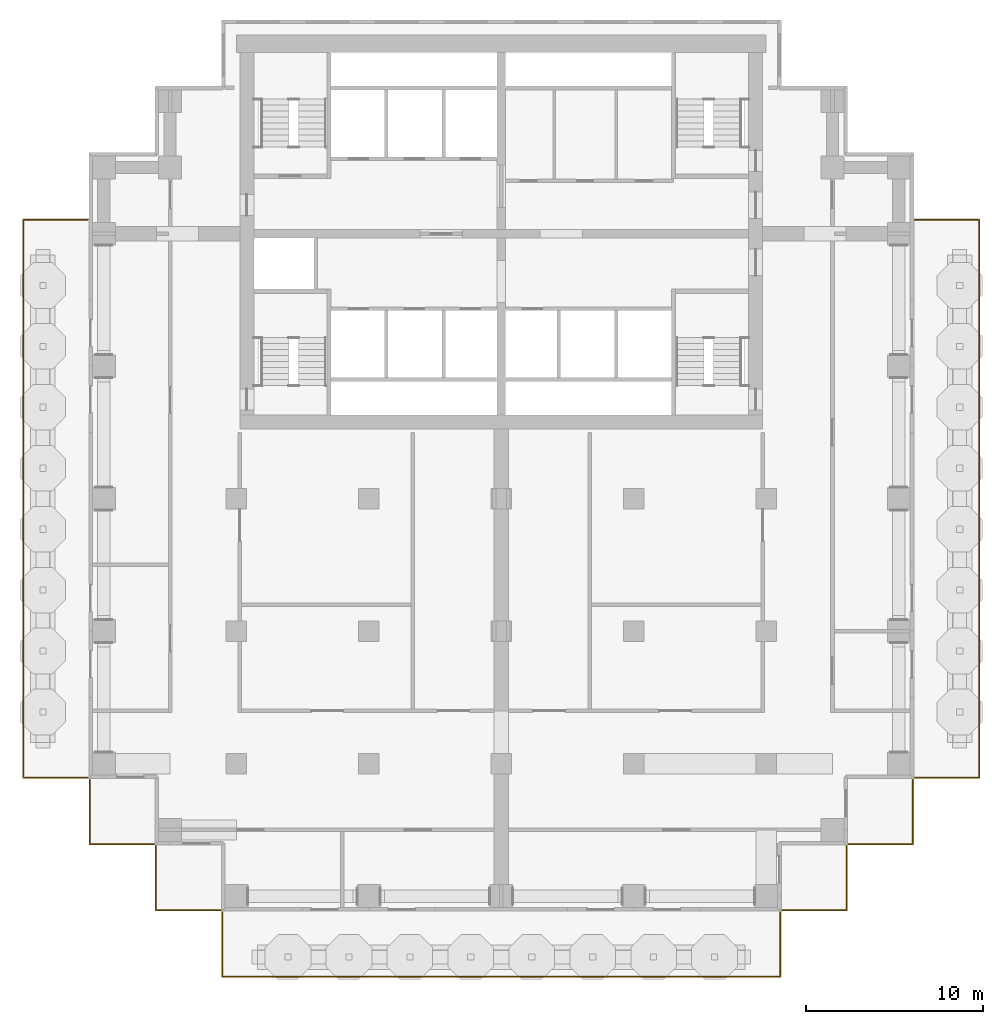
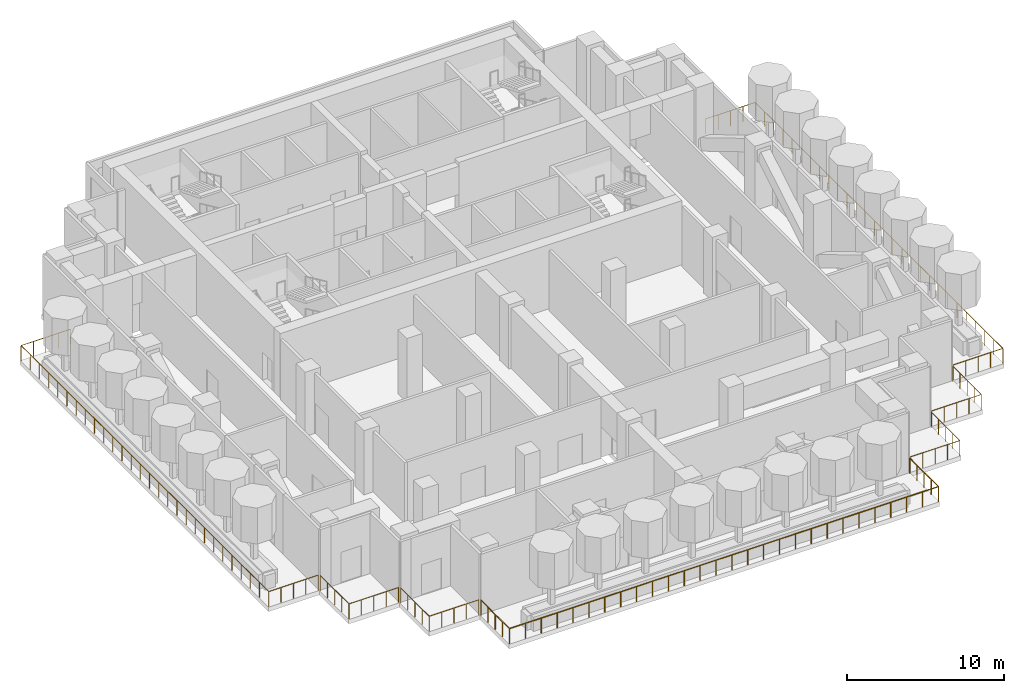
# One storey, part 7 of 9: 7 railings.
"""IFC4 building model written with IfcOpenShell, lengths in metres."""

from ifc_helpers import new_model, si_unit, direction, frame, origin, origin_2d, place, context, subcontext, project, spatial, circle, extrude, material, type_object, element, save


model = new_model("IFC4")

# Units and contexts
model_context = context("Model", 3, precision=1e-05, world=origin(), true_north=direction((0.0, 1.0)))
body_context = subcontext(model_context, "Body", "Model", "MODEL_VIEW")
ifc_project = project(units=[si_unit("LENGTHUNIT", "METRE"), si_unit("AREAUNIT", "SQUARE_METRE"), si_unit("VOLUMEUNIT", "CUBIC_METRE"), si_unit("PLANEANGLEUNIT", "RADIAN"), si_unit("MASSUNIT", "GRAM", prefix="KILO")], contexts=[model_context])

# Site, building, storey
site_placement = place(None, origin())
site = spatial("IfcSite", under=ifc_project, at=site_placement, CompositionType="ELEMENT")
building_placement = place(site_placement, origin())
building = spatial("IfcBuilding", under=site, at=building_placement, Name="Pilkhan Gate Tower", CompositionType="ELEMENT")
storey_placement = place(building_placement, frame((0.0, 0.0, 102.199951171875)))
storey = spatial("IfcBuildingStorey", under=building, at=storey_placement, Name="L25", CompositionType="ELEMENT", Elevation=102.199951171875)

# Railings
ifc_material = material(Name="Pale anodised aluminium posts, laminated glass infill", Category="aluminium")
railing_type = type_object("IfcRailingType", Name="Terrace guard G2", PredefinedType="BALUSTRADE", material=ifc_material)
railing_1_placement = place(storey_placement, frame((98.39990234375, 83.300048828125, 0.0)))
element("IfcRailing", 1, at=railing_1_placement, inside=storey, type_object=railing_type, Name="Terrace guard L25", PredefinedType="BALUSTRADE", context=body_context, shape_type="SweptSolid", body=[
    extrude(circle(Radius=0.02392578125, at=origin_2d()), frame((0.0, 0.0, 1.17578125), z_axis=(1.0, 0.0, 0.0), x_axis=(0.0, 1.0, 0.0)), (0.0, 0.0, 1.0), 3.650146484375),
    extrude(circle(Radius=0.02392578125, at=origin_2d()), frame((3.650146484375, 0.0, 1.17578125), z_axis=(0.0, -1.0, 0.0), x_axis=(1.0, 0.0, 0.0)), (0.0, 0.0, 1.0), 31.60009765625),
    extrude(circle(Radius=0.02392578125, at=origin_2d()), frame((3.650146484375, -31.60009765625, 1.17578125), z_axis=(-1.0, 0.0, 0.0), x_axis=(0.0, -1.0, 0.0)), (0.0, 0.0, 1.0), 3.650146484375),
    extrude(circle(Radius=0.02099609375, at=origin_2d()), origin(), (0.0, 0.0, 1.0), 1.15185546875),
    extrude(circle(Radius=0.02099609375, at=origin_2d()), frame((0.91259765625, 0.0, 0.0)), (0.0, 0.0, 1.0), 1.15185546875),
    extrude(circle(Radius=0.02099609375, at=origin_2d()), frame((1.8251953125, 0.0, 0.0)), (0.0, 0.0, 1.0), 1.15185546875),
    extrude(circle(Radius=0.02099609375, at=origin_2d()), frame((2.737548828125, 0.0, 0.0)), (0.0, 0.0, 1.0), 1.15185546875),
    extrude(circle(Radius=0.02099609375, at=origin_2d()), frame((3.650146484375, 0.0, 0.0)), (0.0, 0.0, 1.0), 1.15185546875),
    extrude(circle(Radius=0.02099609375, at=origin_2d()), frame((3.650146484375, -1.17041015625, 0.0)), (0.0, 0.0, 1.0), 1.15185546875),
    extrude(circle(Radius=0.02099609375, at=origin_2d()), frame((3.650146484375, -2.3408203125, 0.0)), (0.0, 0.0, 1.0), 1.15185546875),
    extrude(circle(Radius=0.02099609375, at=origin_2d()), frame((3.650146484375, -3.51123046875, 0.0)), (0.0, 0.0, 1.0), 1.15185546875),
    extrude(circle(Radius=0.02099609375, at=origin_2d()), frame((3.650146484375, -4.681396484375, 0.0)), (0.0, 0.0, 1.0), 1.15185546875),
    extrude(circle(Radius=0.02099609375, at=origin_2d()), frame((3.650146484375, -5.851806640625, 0.0)), (0.0, 0.0, 1.0), 1.15185546875),
    extrude(circle(Radius=0.02099609375, at=origin_2d()), frame((3.650146484375, -7.022216796875, 0.0)), (0.0, 0.0, 1.0), 1.15185546875),
    extrude(circle(Radius=0.02099609375, at=origin_2d()), frame((3.650146484375, -8.192626953125, 0.0)), (0.0, 0.0, 1.0), 1.15185546875),
    extrude(circle(Radius=0.02099609375, at=origin_2d()), frame((3.650146484375, -9.363037109375, 0.0)), (0.0, 0.0, 1.0), 1.15185546875),
    extrude(circle(Radius=0.02099609375, at=origin_2d()), frame((3.650146484375, -10.533447265625, 0.0)), (0.0, 0.0, 1.0), 1.15185546875),
    extrude(circle(Radius=0.02099609375, at=origin_2d()), frame((3.650146484375, -11.703857421875, 0.0)), (0.0, 0.0, 1.0), 1.15185546875),
    extrude(circle(Radius=0.02099609375, at=origin_2d()), frame((3.650146484375, -12.8740234375, 0.0)), (0.0, 0.0, 1.0), 1.15185546875),
    extrude(circle(Radius=0.02099609375, at=origin_2d()), frame((3.650146484375, -14.04443359375, 0.0)), (0.0, 0.0, 1.0), 1.15185546875),
    extrude(circle(Radius=0.02099609375, at=origin_2d()), frame((3.650146484375, -15.21484375, 0.0)), (0.0, 0.0, 1.0), 1.15185546875),
    extrude(circle(Radius=0.02099609375, at=origin_2d()), frame((3.650146484375, -16.38525390625, 0.0)), (0.0, 0.0, 1.0), 1.15185546875),
    extrude(circle(Radius=0.02099609375, at=origin_2d()), frame((3.650146484375, -17.5556640625, 0.0)), (0.0, 0.0, 1.0), 1.15185546875),
    extrude(circle(Radius=0.02099609375, at=origin_2d()), frame((3.650146484375, -18.72607421875, 0.0)), (0.0, 0.0, 1.0), 1.15185546875),
    extrude(circle(Radius=0.02099609375, at=origin_2d()), frame((3.650146484375, -19.896240234375, 0.0)), (0.0, 0.0, 1.0), 1.15185546875),
    extrude(circle(Radius=0.02099609375, at=origin_2d()), frame((3.650146484375, -21.066650390625, 0.0)), (0.0, 0.0, 1.0), 1.15185546875),
    extrude(circle(Radius=0.02099609375, at=origin_2d()), frame((3.650146484375, -22.237060546875, 0.0)), (0.0, 0.0, 1.0), 1.15185546875),
    extrude(circle(Radius=0.02099609375, at=origin_2d()), frame((3.650146484375, -23.407470703125, 0.0)), (0.0, 0.0, 1.0), 1.15185546875),
    extrude(circle(Radius=0.02099609375, at=origin_2d()), frame((3.650146484375, -24.577880859375, 0.0)), (0.0, 0.0, 1.0), 1.15185546875),
    extrude(circle(Radius=0.02099609375, at=origin_2d()), frame((3.650146484375, -25.748291015625, 0.0)), (0.0, 0.0, 1.0), 1.15185546875),
    extrude(circle(Radius=0.02099609375, at=origin_2d()), frame((3.650146484375, -26.918701171875, 0.0)), (0.0, 0.0, 1.0), 1.15185546875),
    extrude(circle(Radius=0.02099609375, at=origin_2d()), frame((3.650146484375, -28.0888671875, 0.0)), (0.0, 0.0, 1.0), 1.15185546875),
    extrude(circle(Radius=0.02099609375, at=origin_2d()), frame((3.650146484375, -29.25927734375, 0.0)), (0.0, 0.0, 1.0), 1.15185546875),
    extrude(circle(Radius=0.02099609375, at=origin_2d()), frame((3.650146484375, -30.4296875, 0.0)), (0.0, 0.0, 1.0), 1.15185546875),
    extrude(circle(Radius=0.02099609375, at=origin_2d()), frame((3.650146484375, -31.60009765625, 0.0)), (0.0, 0.0, 1.0), 1.15185546875),
    extrude(circle(Radius=0.02099609375, at=origin_2d()), frame((2.737548828125, -31.60009765625, 0.0)), (0.0, 0.0, 1.0), 1.15185546875),
    extrude(circle(Radius=0.02099609375, at=origin_2d()), frame((1.8251953125, -31.60009765625, 0.0)), (0.0, 0.0, 1.0), 1.15185546875),
    extrude(circle(Radius=0.02099609375, at=origin_2d()), frame((0.91259765625, -31.60009765625, 0.0)), (0.0, 0.0, 1.0), 1.15185546875),
    extrude(circle(Radius=0.02099609375, at=origin_2d()), frame((0.0, -31.60009765625, 0.0)), (0.0, 0.0, 1.0), 1.15185546875),
])
for number, where, name in (
    (2, (98.300048828125, 51.60009765625, 0.0), "Terrace guard L25"),
    (3, (94.550048828125, 47.85009765625, 0.0), "Terrace guard L25"),
):
    element("IfcRailing", number, at=place(storey_placement, frame(where)), inside=storey, type_object=railing_type, Name=name, PredefinedType="BALUSTRADE", context=body_context, shape_type="SweptSolid", body=[
        extrude(circle(Radius=0.02392578125, at=origin_2d()), frame((0.0, 0.0, 1.17578125), z_axis=(0.0, -1.0, 0.0), x_axis=(1.0, 0.0, 0.0)), (0.0, 0.0, 1.0), 3.650146484375),
        extrude(circle(Radius=0.02392578125, at=origin_2d()), frame((0.0, -3.650146484375, 1.17578125), z_axis=(-1.0, 0.0, 0.0), x_axis=(0.0, -1.0, 0.0)), (0.0, 0.0, 1.0), 3.650146484375),
        extrude(circle(Radius=0.02099609375, at=origin_2d()), origin(), (0.0, 0.0, 1.0), 1.15185546875),
        extrude(circle(Radius=0.02099609375, at=origin_2d()), frame((0.0, -0.91259765625, 0.0)), (0.0, 0.0, 1.0), 1.15185546875),
        extrude(circle(Radius=0.02099609375, at=origin_2d()), frame((0.0, -1.8251953125, 0.0)), (0.0, 0.0, 1.0), 1.15185546875),
        extrude(circle(Radius=0.02099609375, at=origin_2d()), frame((0.0, -2.737548828125, 0.0)), (0.0, 0.0, 1.0), 1.15185546875),
        extrude(circle(Radius=0.02099609375, at=origin_2d()), frame((0.0, -3.650146484375, 0.0)), (0.0, 0.0, 1.0), 1.15185546875),
        extrude(circle(Radius=0.02099609375, at=origin_2d()), frame((-0.91259765625, -3.650146484375, 0.0)), (0.0, 0.0, 1.0), 1.15185546875),
        extrude(circle(Radius=0.02099609375, at=origin_2d()), frame((-1.8251953125, -3.650146484375, 0.0)), (0.0, 0.0, 1.0), 1.15185546875),
        extrude(circle(Radius=0.02099609375, at=origin_2d()), frame((-2.737548828125, -3.650146484375, 0.0)), (0.0, 0.0, 1.0), 1.15185546875),
        extrude(circle(Radius=0.02099609375, at=origin_2d()), frame((-3.650146484375, -3.650146484375, 0.0)), (0.0, 0.0, 1.0), 1.15185546875),
    ])
railing_2_placement = place(storey_placement, frame((90.800048828125, 44.10009765625, 0.0)))
element("IfcRailing", 4, at=railing_2_placement, inside=storey, type_object=railing_type, Name="Terrace guard L25", PredefinedType="BALUSTRADE", context=body_context, shape_type="SweptSolid", body=[
    extrude(circle(Radius=0.02392578125, at=origin_2d()), frame((0.0, 0.0, 1.17578125), z_axis=(0.0, -1.0, 0.0), x_axis=(1.0, 0.0, 0.0)), (0.0, 0.0, 1.0), 3.650146484375),
    extrude(circle(Radius=0.02392578125, at=origin_2d()), frame((0.0, -3.650146484375, 1.17578125), z_axis=(-1.0, 0.0, 0.0), x_axis=(0.0, -1.0, 0.0)), (0.0, 0.0, 1.0), 31.60009765625),
    extrude(circle(Radius=0.02392578125, at=origin_2d()), frame((-31.60009765625, -3.650146484375, 1.17578125), z_axis=(0.0, 1.0, 0.0), x_axis=(-1.0, 0.0, 0.0)), (0.0, 0.0, 1.0), 3.650146484375),
    extrude(circle(Radius=0.02099609375, at=origin_2d()), origin(), (0.0, 0.0, 1.0), 1.15185546875),
    extrude(circle(Radius=0.02099609375, at=origin_2d()), frame((0.0, -0.91259765625, 0.0)), (0.0, 0.0, 1.0), 1.15185546875),
    extrude(circle(Radius=0.02099609375, at=origin_2d()), frame((0.0, -1.8251953125, 0.0)), (0.0, 0.0, 1.0), 1.15185546875),
    extrude(circle(Radius=0.02099609375, at=origin_2d()), frame((0.0, -2.737548828125, 0.0)), (0.0, 0.0, 1.0), 1.15185546875),
    extrude(circle(Radius=0.02099609375, at=origin_2d()), frame((0.0, -3.650146484375, 0.0)), (0.0, 0.0, 1.0), 1.15185546875),
    extrude(circle(Radius=0.02099609375, at=origin_2d()), frame((-1.17041015625, -3.650146484375, 0.0)), (0.0, 0.0, 1.0), 1.15185546875),
    extrude(circle(Radius=0.02099609375, at=origin_2d()), frame((-2.3408203125, -3.650146484375, 0.0)), (0.0, 0.0, 1.0), 1.15185546875),
    extrude(circle(Radius=0.02099609375, at=origin_2d()), frame((-3.51123046875, -3.650146484375, 0.0)), (0.0, 0.0, 1.0), 1.15185546875),
    extrude(circle(Radius=0.02099609375, at=origin_2d()), frame((-4.681396484375, -3.650146484375, 0.0)), (0.0, 0.0, 1.0), 1.15185546875),
    extrude(circle(Radius=0.02099609375, at=origin_2d()), frame((-5.851806640625, -3.650146484375, 0.0)), (0.0, 0.0, 1.0), 1.15185546875),
    extrude(circle(Radius=0.02099609375, at=origin_2d()), frame((-7.022216796875, -3.650146484375, 0.0)), (0.0, 0.0, 1.0), 1.15185546875),
    extrude(circle(Radius=0.02099609375, at=origin_2d()), frame((-8.192626953125, -3.650146484375, 0.0)), (0.0, 0.0, 1.0), 1.15185546875),
    extrude(circle(Radius=0.02099609375, at=origin_2d()), frame((-9.363037109375, -3.650146484375, 0.0)), (0.0, 0.0, 1.0), 1.15185546875),
    extrude(circle(Radius=0.02099609375, at=origin_2d()), frame((-10.533447265625, -3.650146484375, 0.0)), (0.0, 0.0, 1.0), 1.15185546875),
    extrude(circle(Radius=0.02099609375, at=origin_2d()), frame((-11.703857421875, -3.650146484375, 0.0)), (0.0, 0.0, 1.0), 1.15185546875),
    extrude(circle(Radius=0.02099609375, at=origin_2d()), frame((-12.8740234375, -3.650146484375, 0.0)), (0.0, 0.0, 1.0), 1.15185546875),
    extrude(circle(Radius=0.02099609375, at=origin_2d()), frame((-14.04443359375, -3.650146484375, 0.0)), (0.0, 0.0, 1.0), 1.15185546875),
    extrude(circle(Radius=0.02099609375, at=origin_2d()), frame((-15.21484375, -3.650146484375, 0.0)), (0.0, 0.0, 1.0), 1.15185546875),
    extrude(circle(Radius=0.02099609375, at=origin_2d()), frame((-16.38525390625, -3.650146484375, 0.0)), (0.0, 0.0, 1.0), 1.15185546875),
    extrude(circle(Radius=0.02099609375, at=origin_2d()), frame((-17.5556640625, -3.650146484375, 0.0)), (0.0, 0.0, 1.0), 1.15185546875),
    extrude(circle(Radius=0.02099609375, at=origin_2d()), frame((-18.72607421875, -3.650146484375, 0.0)), (0.0, 0.0, 1.0), 1.15185546875),
    extrude(circle(Radius=0.02099609375, at=origin_2d()), frame((-19.896240234375, -3.650146484375, 0.0)), (0.0, 0.0, 1.0), 1.15185546875),
    extrude(circle(Radius=0.02099609375, at=origin_2d()), frame((-21.066650390625, -3.650146484375, 0.0)), (0.0, 0.0, 1.0), 1.15185546875),
    extrude(circle(Radius=0.02099609375, at=origin_2d()), frame((-22.237060546875, -3.650146484375, 0.0)), (0.0, 0.0, 1.0), 1.15185546875),
    extrude(circle(Radius=0.02099609375, at=origin_2d()), frame((-23.407470703125, -3.650146484375, 0.0)), (0.0, 0.0, 1.0), 1.15185546875),
    extrude(circle(Radius=0.02099609375, at=origin_2d()), frame((-24.577880859375, -3.650146484375, 0.0)), (0.0, 0.0, 1.0), 1.15185546875),
    extrude(circle(Radius=0.02099609375, at=origin_2d()), frame((-25.748291015625, -3.650146484375, 0.0)), (0.0, 0.0, 1.0), 1.15185546875),
    extrude(circle(Radius=0.02099609375, at=origin_2d()), frame((-26.918701171875, -3.650146484375, 0.0)), (0.0, 0.0, 1.0), 1.15185546875),
    extrude(circle(Radius=0.02099609375, at=origin_2d()), frame((-28.0888671875, -3.650146484375, 0.0)), (0.0, 0.0, 1.0), 1.15185546875),
    extrude(circle(Radius=0.02099609375, at=origin_2d()), frame((-29.25927734375, -3.650146484375, 0.0)), (0.0, 0.0, 1.0), 1.15185546875),
    extrude(circle(Radius=0.02099609375, at=origin_2d()), frame((-30.4296875, -3.650146484375, 0.0)), (0.0, 0.0, 1.0), 1.15185546875),
    extrude(circle(Radius=0.02099609375, at=origin_2d()), frame((-31.60009765625, -3.650146484375, 0.0)), (0.0, 0.0, 1.0), 1.15185546875),
    extrude(circle(Radius=0.02099609375, at=origin_2d()), frame((-31.60009765625, -2.737548828125, 0.0)), (0.0, 0.0, 1.0), 1.15185546875),
    extrude(circle(Radius=0.02099609375, at=origin_2d()), frame((-31.60009765625, -1.8251953125, 0.0)), (0.0, 0.0, 1.0), 1.15185546875),
    extrude(circle(Radius=0.02099609375, at=origin_2d()), frame((-31.60009765625, -0.91259765625, 0.0)), (0.0, 0.0, 1.0), 1.15185546875),
    extrude(circle(Radius=0.02099609375, at=origin_2d()), frame((-31.60009765625, 0.0, 0.0)), (0.0, 0.0, 1.0), 1.15185546875),
])
for number, where, name in (
    (5, (59.10009765625, 44.199951171875, 0.0), "Terrace guard L25"),
    (6, (55.35009765625, 47.949951171875, 0.0), "Terrace guard L25"),
):
    element("IfcRailing", number, at=place(storey_placement, frame(where)), inside=storey, type_object=railing_type, Name=name, PredefinedType="BALUSTRADE", context=body_context, shape_type="SweptSolid", body=[
        extrude(circle(Radius=0.02392578125, at=origin_2d()), frame((0.0, 0.0, 1.17578125), z_axis=(-1.0, 0.0, 0.0), x_axis=(0.0, -1.0, 0.0)), (0.0, 0.0, 1.0), 3.650146484375),
        extrude(circle(Radius=0.02392578125, at=origin_2d()), frame((-3.650146484375, 0.0, 1.17578125), z_axis=(0.0, 1.0, 0.0), x_axis=(-1.0, 0.0, 0.0)), (0.0, 0.0, 1.0), 3.650146484375),
        extrude(circle(Radius=0.02099609375, at=origin_2d()), origin(), (0.0, 0.0, 1.0), 1.15185546875),
        extrude(circle(Radius=0.02099609375, at=origin_2d()), frame((-0.91259765625, 0.0, 0.0)), (0.0, 0.0, 1.0), 1.15185546875),
        extrude(circle(Radius=0.02099609375, at=origin_2d()), frame((-1.8251953125, 0.0, 0.0)), (0.0, 0.0, 1.0), 1.15185546875),
        extrude(circle(Radius=0.02099609375, at=origin_2d()), frame((-2.737548828125, 0.0, 0.0)), (0.0, 0.0, 1.0), 1.15185546875),
        extrude(circle(Radius=0.02099609375, at=origin_2d()), frame((-3.650146484375, 0.0, 0.0)), (0.0, 0.0, 1.0), 1.15185546875),
        extrude(circle(Radius=0.02099609375, at=origin_2d()), frame((-3.650146484375, 0.91259765625, 0.0)), (0.0, 0.0, 1.0), 1.15185546875),
        extrude(circle(Radius=0.02099609375, at=origin_2d()), frame((-3.650146484375, 1.8251953125, 0.0)), (0.0, 0.0, 1.0), 1.15185546875),
        extrude(circle(Radius=0.02099609375, at=origin_2d()), frame((-3.650146484375, 2.737548828125, 0.0)), (0.0, 0.0, 1.0), 1.15185546875),
        extrude(circle(Radius=0.02099609375, at=origin_2d()), frame((-3.650146484375, 3.650146484375, 0.0)), (0.0, 0.0, 1.0), 1.15185546875),
    ])
railing_3_placement = place(storey_placement, frame((51.60009765625, 51.699951171875, 0.0)))
element("IfcRailing", 7, at=railing_3_placement, inside=storey, type_object=railing_type, Name="Terrace guard L25", PredefinedType="BALUSTRADE", context=body_context, shape_type="SweptSolid", body=[
    extrude(circle(Radius=0.02392578125, at=origin_2d()), frame((0.0, 0.0, 1.17578125), z_axis=(-1.0, 0.0, 0.0), x_axis=(0.0, -1.0, 0.0)), (0.0, 0.0, 1.0), 3.650146484375),
    extrude(circle(Radius=0.02392578125, at=origin_2d()), frame((-3.650146484375, 0.0, 1.17578125), z_axis=(0.0, 1.0, 0.0), x_axis=(-1.0, 0.0, 0.0)), (0.0, 0.0, 1.0), 31.60009765625),
    extrude(circle(Radius=0.02392578125, at=origin_2d()), frame((-3.650146484375, 31.60009765625, 1.17578125), z_axis=(1.0, 0.0, 0.0), x_axis=(0.0, 1.0, 0.0)), (0.0, 0.0, 1.0), 3.650146484375),
    extrude(circle(Radius=0.02099609375, at=origin_2d()), origin(), (0.0, 0.0, 1.0), 1.15185546875),
    extrude(circle(Radius=0.02099609375, at=origin_2d()), frame((-0.91259765625, 0.0, 0.0)), (0.0, 0.0, 1.0), 1.15185546875),
    extrude(circle(Radius=0.02099609375, at=origin_2d()), frame((-1.8251953125, 0.0, 0.0)), (0.0, 0.0, 1.0), 1.15185546875),
    extrude(circle(Radius=0.02099609375, at=origin_2d()), frame((-2.737548828125, 0.0, 0.0)), (0.0, 0.0, 1.0), 1.15185546875),
    extrude(circle(Radius=0.02099609375, at=origin_2d()), frame((-3.650146484375, 0.0, 0.0)), (0.0, 0.0, 1.0), 1.15185546875),
    extrude(circle(Radius=0.02099609375, at=origin_2d()), frame((-3.650146484375, 1.17041015625, 0.0)), (0.0, 0.0, 1.0), 1.15185546875),
    extrude(circle(Radius=0.02099609375, at=origin_2d()), frame((-3.650146484375, 2.3408203125, 0.0)), (0.0, 0.0, 1.0), 1.15185546875),
    extrude(circle(Radius=0.02099609375, at=origin_2d()), frame((-3.650146484375, 3.51123046875, 0.0)), (0.0, 0.0, 1.0), 1.15185546875),
    extrude(circle(Radius=0.02099609375, at=origin_2d()), frame((-3.650146484375, 4.681396484375, 0.0)), (0.0, 0.0, 1.0), 1.15185546875),
    extrude(circle(Radius=0.02099609375, at=origin_2d()), frame((-3.650146484375, 5.851806640625, 0.0)), (0.0, 0.0, 1.0), 1.15185546875),
    extrude(circle(Radius=0.02099609375, at=origin_2d()), frame((-3.650146484375, 7.022216796875, 0.0)), (0.0, 0.0, 1.0), 1.15185546875),
    extrude(circle(Radius=0.02099609375, at=origin_2d()), frame((-3.650146484375, 8.192626953125, 0.0)), (0.0, 0.0, 1.0), 1.15185546875),
    extrude(circle(Radius=0.02099609375, at=origin_2d()), frame((-3.650146484375, 9.363037109375, 0.0)), (0.0, 0.0, 1.0), 1.15185546875),
    extrude(circle(Radius=0.02099609375, at=origin_2d()), frame((-3.650146484375, 10.533447265625, 0.0)), (0.0, 0.0, 1.0), 1.15185546875),
    extrude(circle(Radius=0.02099609375, at=origin_2d()), frame((-3.650146484375, 11.703857421875, 0.0)), (0.0, 0.0, 1.0), 1.15185546875),
    extrude(circle(Radius=0.02099609375, at=origin_2d()), frame((-3.650146484375, 12.8740234375, 0.0)), (0.0, 0.0, 1.0), 1.15185546875),
    extrude(circle(Radius=0.02099609375, at=origin_2d()), frame((-3.650146484375, 14.04443359375, 0.0)), (0.0, 0.0, 1.0), 1.15185546875),
    extrude(circle(Radius=0.02099609375, at=origin_2d()), frame((-3.650146484375, 15.21484375, 0.0)), (0.0, 0.0, 1.0), 1.15185546875),
    extrude(circle(Radius=0.02099609375, at=origin_2d()), frame((-3.650146484375, 16.38525390625, 0.0)), (0.0, 0.0, 1.0), 1.15185546875),
    extrude(circle(Radius=0.02099609375, at=origin_2d()), frame((-3.650146484375, 17.5556640625, 0.0)), (0.0, 0.0, 1.0), 1.15185546875),
    extrude(circle(Radius=0.02099609375, at=origin_2d()), frame((-3.650146484375, 18.72607421875, 0.0)), (0.0, 0.0, 1.0), 1.15185546875),
    extrude(circle(Radius=0.02099609375, at=origin_2d()), frame((-3.650146484375, 19.896240234375, 0.0)), (0.0, 0.0, 1.0), 1.15185546875),
    extrude(circle(Radius=0.02099609375, at=origin_2d()), frame((-3.650146484375, 21.066650390625, 0.0)), (0.0, 0.0, 1.0), 1.15185546875),
    extrude(circle(Radius=0.02099609375, at=origin_2d()), frame((-3.650146484375, 22.237060546875, 0.0)), (0.0, 0.0, 1.0), 1.15185546875),
    extrude(circle(Radius=0.02099609375, at=origin_2d()), frame((-3.650146484375, 23.407470703125, 0.0)), (0.0, 0.0, 1.0), 1.15185546875),
    extrude(circle(Radius=0.02099609375, at=origin_2d()), frame((-3.650146484375, 24.577880859375, 0.0)), (0.0, 0.0, 1.0), 1.15185546875),
    extrude(circle(Radius=0.02099609375, at=origin_2d()), frame((-3.650146484375, 25.748291015625, 0.0)), (0.0, 0.0, 1.0), 1.15185546875),
    extrude(circle(Radius=0.02099609375, at=origin_2d()), frame((-3.650146484375, 26.918701171875, 0.0)), (0.0, 0.0, 1.0), 1.15185546875),
    extrude(circle(Radius=0.02099609375, at=origin_2d()), frame((-3.650146484375, 28.0888671875, 0.0)), (0.0, 0.0, 1.0), 1.15185546875),
    extrude(circle(Radius=0.02099609375, at=origin_2d()), frame((-3.650146484375, 29.25927734375, 0.0)), (0.0, 0.0, 1.0), 1.15185546875),
    extrude(circle(Radius=0.02099609375, at=origin_2d()), frame((-3.650146484375, 30.4296875, 0.0)), (0.0, 0.0, 1.0), 1.15185546875),
    extrude(circle(Radius=0.02099609375, at=origin_2d()), frame((-3.650146484375, 31.60009765625, 0.0)), (0.0, 0.0, 1.0), 1.15185546875),
    extrude(circle(Radius=0.02099609375, at=origin_2d()), frame((-2.737548828125, 31.60009765625, 0.0)), (0.0, 0.0, 1.0), 1.15185546875),
    extrude(circle(Radius=0.02099609375, at=origin_2d()), frame((-1.8251953125, 31.60009765625, 0.0)), (0.0, 0.0, 1.0), 1.15185546875),
    extrude(circle(Radius=0.02099609375, at=origin_2d()), frame((-0.91259765625, 31.60009765625, 0.0)), (0.0, 0.0, 1.0), 1.15185546875),
    extrude(circle(Radius=0.02099609375, at=origin_2d()), frame((0.0, 31.60009765625, 0.0)), (0.0, 0.0, 1.0), 1.15185546875),
])

save(model, "model.ifc")
